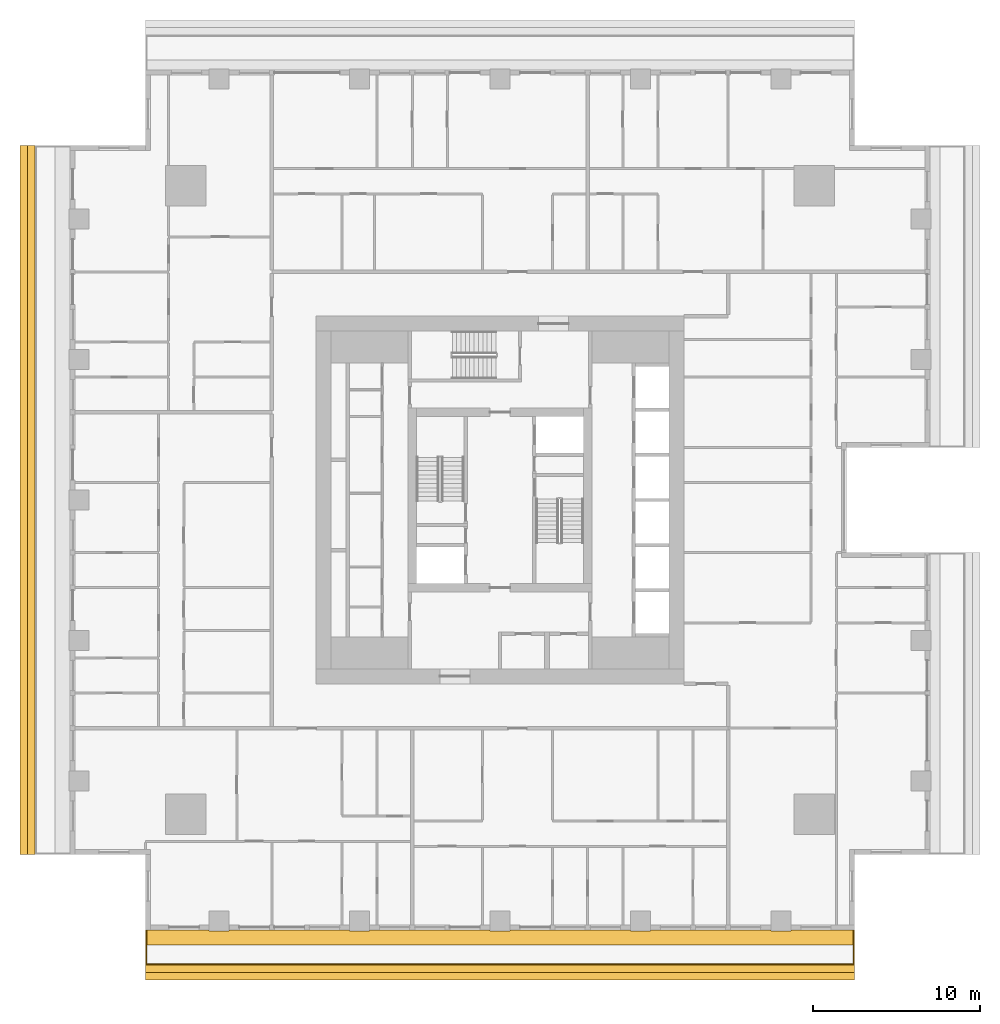
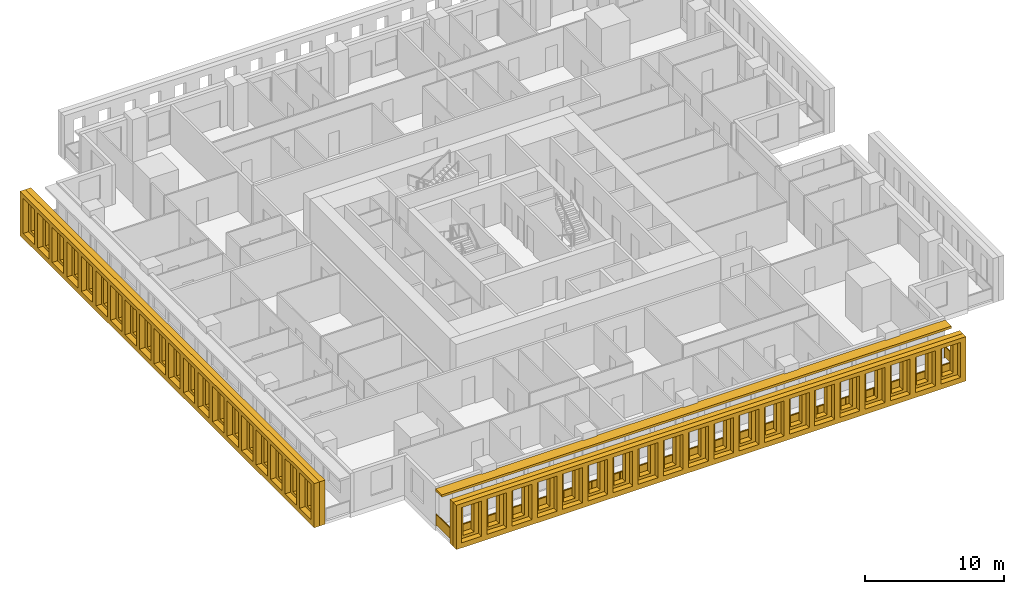
# One storey, part 11 of 16: 5 shading devices, 1 railing.
"""IFC4 building model written with IfcOpenShell, lengths in metres."""

from ifc_helpers import new_model, si_unit, direction, frame, origin, origin_2d, place, context, subcontext, project, spatial, polyline, rectangle, outline, extrude, material, layer, layer_set, type_object, element, save


model = new_model("IFC4")

# Units and contexts
model_context = context("Model", 3, precision=1e-05, world=origin(), true_north=direction((0.0, 1.0)))
body_context = subcontext(model_context, "Body", "Model", "MODEL_VIEW")
ifc_project = project(units=[si_unit("LENGTHUNIT", "METRE"), si_unit("AREAUNIT", "SQUARE_METRE"), si_unit("VOLUMEUNIT", "CUBIC_METRE"), si_unit("PLANEANGLEUNIT", "RADIAN"), si_unit("MASSUNIT", "GRAM", prefix="KILO")], contexts=[model_context])

# Site, building, storey
site_placement = place(None, origin())
site = spatial("IfcSite", under=ifc_project, at=site_placement, CompositionType="ELEMENT")
building_placement = place(site_placement, origin())
building = spatial("IfcBuilding", under=site, at=building_placement, Name="Khepri Terraces", CompositionType="ELEMENT")
storey_placement = place(building_placement, frame((0.0, 0.0, 192.300048828125)))
storey = spatial("IfcBuildingStorey", under=building, at=storey_placement, Name="L45", CompositionType="ELEMENT", Elevation=192.300048828125)

# Railing
ifc_material_1 = material(Name="Stainless steel grade 316", Category="steel")
railing_type = type_object("IfcRailingType", Name="GRD-BAL-1100", PredefinedType="GUARDRAIL", material=ifc_material_1)
railing_placement = place(storey_placement, frame((-21.169921875, -25.719970703125, 0.0)))
element("IfcRailing", 1, at=railing_placement, inside=storey, type_object=railing_type, Name="Balcony guard L45 S", PredefinedType="GUARDRAIL", context=body_context, shape_type="SweptSolid", body=[
    extrude(rectangle(XDim=0.050048828125, YDim=0.06005859375, at=origin_2d()), frame((0.0, 0.0, 1.070068359375), z_axis=(0.0, -1.0, 0.0), x_axis=(1.0, 0.0, 0.0)), (0.0, 0.0, 1.0), 2.050048828125),
    extrude(rectangle(XDim=2.0, YDim=0.011962890625, at=origin_2d()), frame((0.0, -1.02490234375, 0.10009765625), z_axis=(0.0, 0.0, 1.0), x_axis=(0.0, -1.0, 0.0)), (0.0, 0.0, 1.0), 0.93994140625),
    extrude(rectangle(XDim=0.050048828125, YDim=0.06005859375, at=origin_2d()), frame((0.0, -2.050048828125, 1.070068359375), z_axis=(1.0, 0.0, 0.0), x_axis=(0.0, 1.0, 0.0)), (0.0, 0.0, 1.0), 42.33984375),
    extrude(rectangle(XDim=2.30224609375, YDim=0.011962890625, at=origin_2d()), frame((1.176025390625, -2.050048828125, 0.10009765625), z_axis=(0.0, 0.0, 1.0), x_axis=(1.0, 0.0, 0.0)), (0.0, 0.0, 1.0), 0.93994140625),
    extrude(rectangle(XDim=2.30224609375, YDim=0.011962890625, at=origin_2d()), frame((3.5283203125, -2.050048828125, 0.10009765625), z_axis=(0.0, 0.0, 1.0), x_axis=(1.0, 0.0, 0.0)), (0.0, 0.0, 1.0), 0.93994140625),
    extrude(rectangle(XDim=2.30224609375, YDim=0.011962890625, at=origin_2d()), frame((5.880615234375, -2.050048828125, 0.10009765625), z_axis=(0.0, 0.0, 1.0), x_axis=(1.0, 0.0, 0.0)), (0.0, 0.0, 1.0), 0.93994140625),
    extrude(rectangle(XDim=2.30224609375, YDim=0.011962890625, at=origin_2d()), frame((8.232666015625, -2.050048828125, 0.10009765625), z_axis=(0.0, 0.0, 1.0), x_axis=(1.0, 0.0, 0.0)), (0.0, 0.0, 1.0), 0.93994140625),
    extrude(rectangle(XDim=2.30224609375, YDim=0.011962890625, at=origin_2d()), frame((10.5849609375, -2.050048828125, 0.10009765625), z_axis=(0.0, 0.0, 1.0), x_axis=(1.0, 0.0, 0.0)), (0.0, 0.0, 1.0), 0.93994140625),
    extrude(rectangle(XDim=2.30224609375, YDim=0.011962890625, at=origin_2d()), frame((12.937255859375, -2.050048828125, 0.10009765625), z_axis=(0.0, 0.0, 1.0), x_axis=(1.0, 0.0, 0.0)), (0.0, 0.0, 1.0), 0.93994140625),
    extrude(rectangle(XDim=2.30224609375, YDim=0.011962890625, at=origin_2d()), frame((15.289306640625, -2.050048828125, 0.10009765625), z_axis=(0.0, 0.0, 1.0), x_axis=(1.0, 0.0, 0.0)), (0.0, 0.0, 1.0), 0.93994140625),
    extrude(rectangle(XDim=2.30224609375, YDim=0.011962890625, at=origin_2d()), frame((17.6416015625, -2.050048828125, 0.10009765625), z_axis=(0.0, 0.0, 1.0), x_axis=(1.0, 0.0, 0.0)), (0.0, 0.0, 1.0), 0.93994140625),
    extrude(rectangle(XDim=2.30224609375, YDim=0.011962890625, at=origin_2d()), frame((19.993896484375, -2.050048828125, 0.10009765625), z_axis=(0.0, 0.0, 1.0), x_axis=(1.0, 0.0, 0.0)), (0.0, 0.0, 1.0), 0.93994140625),
    extrude(rectangle(XDim=2.30224609375, YDim=0.011962890625, at=origin_2d()), frame((22.345947265625, -2.050048828125, 0.10009765625), z_axis=(0.0, 0.0, 1.0), x_axis=(1.0, 0.0, 0.0)), (0.0, 0.0, 1.0), 0.93994140625),
    extrude(rectangle(XDim=2.30224609375, YDim=0.011962890625, at=origin_2d()), frame((24.6982421875, -2.050048828125, 0.10009765625), z_axis=(0.0, 0.0, 1.0), x_axis=(1.0, 0.0, 0.0)), (0.0, 0.0, 1.0), 0.93994140625),
    extrude(rectangle(XDim=2.30224609375, YDim=0.011962890625, at=origin_2d()), frame((27.050537109375, -2.050048828125, 0.10009765625), z_axis=(0.0, 0.0, 1.0), x_axis=(1.0, 0.0, 0.0)), (0.0, 0.0, 1.0), 0.93994140625),
    extrude(rectangle(XDim=2.30224609375, YDim=0.011962890625, at=origin_2d()), frame((29.402587890625, -2.050048828125, 0.10009765625), z_axis=(0.0, 0.0, 1.0), x_axis=(1.0, 0.0, 0.0)), (0.0, 0.0, 1.0), 0.93994140625),
    extrude(rectangle(XDim=2.30224609375, YDim=0.011962890625, at=origin_2d()), frame((31.7548828125, -2.050048828125, 0.10009765625), z_axis=(0.0, 0.0, 1.0), x_axis=(1.0, 0.0, 0.0)), (0.0, 0.0, 1.0), 0.93994140625),
    extrude(rectangle(XDim=2.30224609375, YDim=0.011962890625, at=origin_2d()), frame((34.107177734375, -2.050048828125, 0.10009765625), z_axis=(0.0, 0.0, 1.0), x_axis=(1.0, 0.0, 0.0)), (0.0, 0.0, 1.0), 0.93994140625),
    extrude(rectangle(XDim=2.30224609375, YDim=0.011962890625, at=origin_2d()), frame((36.459228515625, -2.050048828125, 0.10009765625), z_axis=(0.0, 0.0, 1.0), x_axis=(1.0, 0.0, 0.0)), (0.0, 0.0, 1.0), 0.93994140625),
    extrude(rectangle(XDim=2.30224609375, YDim=0.011962890625, at=origin_2d()), frame((38.8115234375, -2.050048828125, 0.10009765625), z_axis=(0.0, 0.0, 1.0), x_axis=(1.0, 0.0, 0.0)), (0.0, 0.0, 1.0), 0.93994140625),
    extrude(rectangle(XDim=2.30224609375, YDim=0.011962890625, at=origin_2d()), frame((41.163818359375, -2.050048828125, 0.10009765625), z_axis=(0.0, 0.0, 1.0), x_axis=(1.0, 0.0, 0.0)), (0.0, 0.0, 1.0), 0.93994140625),
    extrude(rectangle(XDim=0.050048828125, YDim=0.06005859375, at=origin_2d()), frame((42.33984375, -2.050048828125, 1.070068359375), z_axis=(0.0, 1.0, 0.0), x_axis=(-1.0, 0.0, 0.0)), (0.0, 0.0, 1.0), 2.050048828125),
    extrude(rectangle(XDim=2.0, YDim=0.011962890625, at=origin_2d()), frame((42.33984375, -1.02490234375, 0.10009765625), z_axis=(0.0, 0.0, 1.0), x_axis=(0.0, 1.0, 0.0)), (0.0, 0.0, 1.0), 0.93994140625),
    extrude(rectangle(XDim=0.050048828125, YDim=0.050048828125, at=origin_2d()), origin(), (0.0, 0.0, 1.0), 1.0400390625),
    extrude(rectangle(XDim=0.050048828125, YDim=0.050048828125, at=origin_2d()), frame((0.0, -2.050048828125, 0.0)), (0.0, 0.0, 1.0), 1.0400390625),
    extrude(rectangle(XDim=0.050048828125, YDim=0.050048828125, at=origin_2d()), frame((2.352294921875, -2.050048828125, 0.0)), (0.0, 0.0, 1.0), 1.0400390625),
    extrude(rectangle(XDim=0.050048828125, YDim=0.050048828125, at=origin_2d()), frame((4.704345703125, -2.050048828125, 0.0)), (0.0, 0.0, 1.0), 1.0400390625),
    extrude(rectangle(XDim=0.050048828125, YDim=0.050048828125, at=origin_2d()), frame((7.056640625, -2.050048828125, 0.0)), (0.0, 0.0, 1.0), 1.0400390625),
    extrude(rectangle(XDim=0.050048828125, YDim=0.050048828125, at=origin_2d()), frame((9.408935546875, -2.050048828125, 0.0)), (0.0, 0.0, 1.0), 1.0400390625),
    extrude(rectangle(XDim=0.050048828125, YDim=0.050048828125, at=origin_2d()), frame((11.760986328125, -2.050048828125, 0.0)), (0.0, 0.0, 1.0), 1.0400390625),
    extrude(rectangle(XDim=0.050048828125, YDim=0.050048828125, at=origin_2d()), frame((14.11328125, -2.050048828125, 0.0)), (0.0, 0.0, 1.0), 1.0400390625),
    extrude(rectangle(XDim=0.050048828125, YDim=0.050048828125, at=origin_2d()), frame((16.465576171875, -2.050048828125, 0.0)), (0.0, 0.0, 1.0), 1.0400390625),
    extrude(rectangle(XDim=0.050048828125, YDim=0.050048828125, at=origin_2d()), frame((18.817626953125, -2.050048828125, 0.0)), (0.0, 0.0, 1.0), 1.0400390625),
    extrude(rectangle(XDim=0.050048828125, YDim=0.050048828125, at=origin_2d()), frame((21.169921875, -2.050048828125, 0.0)), (0.0, 0.0, 1.0), 1.0400390625),
    extrude(rectangle(XDim=0.050048828125, YDim=0.050048828125, at=origin_2d()), frame((23.522216796875, -2.050048828125, 0.0)), (0.0, 0.0, 1.0), 1.0400390625),
    extrude(rectangle(XDim=0.050048828125, YDim=0.050048828125, at=origin_2d()), frame((25.874267578125, -2.050048828125, 0.0)), (0.0, 0.0, 1.0), 1.0400390625),
    extrude(rectangle(XDim=0.050048828125, YDim=0.050048828125, at=origin_2d()), frame((28.2265625, -2.050048828125, 0.0)), (0.0, 0.0, 1.0), 1.0400390625),
    extrude(rectangle(XDim=0.050048828125, YDim=0.050048828125, at=origin_2d()), frame((30.578857421875, -2.050048828125, 0.0)), (0.0, 0.0, 1.0), 1.0400390625),
    extrude(rectangle(XDim=0.050048828125, YDim=0.050048828125, at=origin_2d()), frame((32.930908203125, -2.050048828125, 0.0)), (0.0, 0.0, 1.0), 1.0400390625),
    extrude(rectangle(XDim=0.050048828125, YDim=0.050048828125, at=origin_2d()), frame((35.283203125, -2.050048828125, 0.0)), (0.0, 0.0, 1.0), 1.0400390625),
    extrude(rectangle(XDim=0.050048828125, YDim=0.050048828125, at=origin_2d()), frame((37.635498046875, -2.050048828125, 0.0)), (0.0, 0.0, 1.0), 1.0400390625),
    extrude(rectangle(XDim=0.050048828125, YDim=0.050048828125, at=origin_2d()), frame((39.987548828125, -2.050048828125, 0.0)), (0.0, 0.0, 1.0), 1.0400390625),
    extrude(rectangle(XDim=0.050048828125, YDim=0.050048828125, at=origin_2d()), frame((42.33984375, -2.050048828125, 0.0)), (0.0, 0.0, 1.0), 1.0400390625),
    extrude(rectangle(XDim=0.050048828125, YDim=0.050048828125, at=origin_2d()), frame((42.33984375, 0.0, 0.0)), (0.0, 0.0, 1.0), 1.0400390625),
])

# Shading devices
ifc_material_2 = material(Name="Precast concrete C50/60 warm stone", Category="masonry")
shading_device_type_1 = type_object("IfcShadingDeviceType", Name="SCR-CELL-INNER-450", PredefinedType="USERDEFINED", material=ifc_material_2)
shading_device_1_placement = place(storey_placement, frame((-21.219970703125, -27.820068359375, -0.25), z_axis=(0.0, -1.0, 0.0), x_axis=(1.0, 0.0, 0.0)))
element("IfcShadingDevice", 2, at=shading_device_1_placement, inside=storey, type_object=shading_device_type_1, Name="Cell screen L45 S in", ObjectType="SCREEN", PredefinedType="USERDEFINED", context=body_context, shape_type="SweptSolid", body=[
    extrude(outline(polyline([(0.0, 0.0), (42.43994140625, 0.0), (42.43994140625, 3.89990234375), (0.0, 3.89990234375), (0.0, 0.0)]), holes=[polyline([(0.797607421875, 0.699951171875), (1.742431640625, 0.699951171875), (1.742431640625, 3.300048828125), (0.797607421875, 3.300048828125), (0.797607421875, 0.699951171875)]), polyline([(2.8974609375, 0.699951171875), (3.842529296875, 0.699951171875), (3.842529296875, 3.300048828125), (2.8974609375, 3.300048828125), (2.8974609375, 0.699951171875)]), polyline([(4.99755859375, 0.699951171875), (5.9423828125, 0.699951171875), (5.9423828125, 3.300048828125), (4.99755859375, 3.300048828125), (4.99755859375, 0.699951171875)]), polyline([(7.097412109375, 0.699951171875), (8.04248046875, 0.699951171875), (8.04248046875, 3.300048828125), (7.097412109375, 3.300048828125), (7.097412109375, 0.699951171875)]), polyline([(9.197509765625, 0.699951171875), (10.142578125, 0.699951171875), (10.142578125, 3.300048828125), (9.197509765625, 3.300048828125), (9.197509765625, 0.699951171875)]), polyline([(11.297607421875, 0.699951171875), (12.242431640625, 0.699951171875), (12.242431640625, 3.300048828125), (11.297607421875, 3.300048828125), (11.297607421875, 0.699951171875)]), polyline([(13.3974609375, 0.699951171875), (14.342529296875, 0.699951171875), (14.342529296875, 3.300048828125), (13.3974609375, 3.300048828125), (13.3974609375, 0.699951171875)]), polyline([(15.49755859375, 0.699951171875), (16.4423828125, 0.699951171875), (16.4423828125, 3.300048828125), (15.49755859375, 3.300048828125), (15.49755859375, 0.699951171875)]), polyline([(17.597412109375, 0.699951171875), (18.54248046875, 0.699951171875), (18.54248046875, 3.300048828125), (17.597412109375, 3.300048828125), (17.597412109375, 0.699951171875)]), polyline([(19.697509765625, 0.699951171875), (20.642578125, 0.699951171875), (20.642578125, 3.300048828125), (19.697509765625, 3.300048828125), (19.697509765625, 0.699951171875)]), polyline([(21.797607421875, 0.699951171875), (22.742431640625, 0.699951171875), (22.742431640625, 3.300048828125), (21.797607421875, 3.300048828125), (21.797607421875, 0.699951171875)]), polyline([(23.8974609375, 0.699951171875), (24.842529296875, 0.699951171875), (24.842529296875, 3.300048828125), (23.8974609375, 3.300048828125), (23.8974609375, 0.699951171875)]), polyline([(25.99755859375, 0.699951171875), (26.9423828125, 0.699951171875), (26.9423828125, 3.300048828125), (25.99755859375, 3.300048828125), (25.99755859375, 0.699951171875)]), polyline([(28.097412109375, 0.699951171875), (29.04248046875, 0.699951171875), (29.04248046875, 3.300048828125), (28.097412109375, 3.300048828125), (28.097412109375, 0.699951171875)]), polyline([(30.197509765625, 0.699951171875), (31.142578125, 0.699951171875), (31.142578125, 3.300048828125), (30.197509765625, 3.300048828125), (30.197509765625, 0.699951171875)]), polyline([(32.297607421875, 0.699951171875), (33.242431640625, 0.699951171875), (33.242431640625, 3.300048828125), (32.297607421875, 3.300048828125), (32.297607421875, 0.699951171875)]), polyline([(34.3974609375, 0.699951171875), (35.342529296875, 0.699951171875), (35.342529296875, 3.300048828125), (34.3974609375, 3.300048828125), (34.3974609375, 0.699951171875)]), polyline([(36.49755859375, 0.699951171875), (37.4423828125, 0.699951171875), (37.4423828125, 3.300048828125), (36.49755859375, 3.300048828125), (36.49755859375, 0.699951171875)]), polyline([(38.597412109375, 0.699951171875), (39.54248046875, 0.699951171875), (39.54248046875, 3.300048828125), (38.597412109375, 3.300048828125), (38.597412109375, 0.699951171875)]), polyline([(40.697509765625, 0.699951171875), (41.642578125, 0.699951171875), (41.642578125, 3.300048828125), (40.697509765625, 3.300048828125), (40.697509765625, 0.699951171875)])]), origin(), (0.0, 0.0, 1.0), 0.449951171875),
])
shading_device_2_placement = place(storey_placement, frame((-27.820068359375, 21.219970703125, -0.25), z_axis=(-1.0, 0.0, 0.0), x_axis=(0.0, -1.0, 0.0)))
element("IfcShadingDevice", 3, at=shading_device_2_placement, inside=storey, type_object=shading_device_type_1, Name="Cell screen L45 W in", ObjectType="SCREEN", PredefinedType="USERDEFINED", context=body_context, shape_type="SweptSolid", body=[
    extrude(outline(polyline([(0.0, 0.0), (42.43994140625, 0.0), (42.43994140625, 3.89990234375), (0.0, 3.89990234375), (0.0, 0.0)]), holes=[polyline([(0.797607421875, 0.699951171875), (1.742431640625, 0.699951171875), (1.742431640625, 3.300048828125), (0.797607421875, 3.300048828125), (0.797607421875, 0.699951171875)]), polyline([(2.8974609375, 0.699951171875), (3.842529296875, 0.699951171875), (3.842529296875, 3.300048828125), (2.8974609375, 3.300048828125), (2.8974609375, 0.699951171875)]), polyline([(4.99755859375, 0.699951171875), (5.9423828125, 0.699951171875), (5.9423828125, 3.300048828125), (4.99755859375, 3.300048828125), (4.99755859375, 0.699951171875)]), polyline([(7.097412109375, 0.699951171875), (8.04248046875, 0.699951171875), (8.04248046875, 3.300048828125), (7.097412109375, 3.300048828125), (7.097412109375, 0.699951171875)]), polyline([(9.197509765625, 0.699951171875), (10.142578125, 0.699951171875), (10.142578125, 3.300048828125), (9.197509765625, 3.300048828125), (9.197509765625, 0.699951171875)]), polyline([(11.297607421875, 0.699951171875), (12.242431640625, 0.699951171875), (12.242431640625, 3.300048828125), (11.297607421875, 3.300048828125), (11.297607421875, 0.699951171875)]), polyline([(13.3974609375, 0.699951171875), (14.342529296875, 0.699951171875), (14.342529296875, 3.300048828125), (13.3974609375, 3.300048828125), (13.3974609375, 0.699951171875)]), polyline([(15.49755859375, 0.699951171875), (16.4423828125, 0.699951171875), (16.4423828125, 3.300048828125), (15.49755859375, 3.300048828125), (15.49755859375, 0.699951171875)]), polyline([(17.597412109375, 0.699951171875), (18.54248046875, 0.699951171875), (18.54248046875, 3.300048828125), (17.597412109375, 3.300048828125), (17.597412109375, 0.699951171875)]), polyline([(19.697509765625, 0.699951171875), (20.642578125, 0.699951171875), (20.642578125, 3.300048828125), (19.697509765625, 3.300048828125), (19.697509765625, 0.699951171875)]), polyline([(21.797607421875, 0.699951171875), (22.742431640625, 0.699951171875), (22.742431640625, 3.300048828125), (21.797607421875, 3.300048828125), (21.797607421875, 0.699951171875)]), polyline([(23.8974609375, 0.699951171875), (24.842529296875, 0.699951171875), (24.842529296875, 3.300048828125), (23.8974609375, 3.300048828125), (23.8974609375, 0.699951171875)]), polyline([(25.99755859375, 0.699951171875), (26.9423828125, 0.699951171875), (26.9423828125, 3.300048828125), (25.99755859375, 3.300048828125), (25.99755859375, 0.699951171875)]), polyline([(28.097412109375, 0.699951171875), (29.04248046875, 0.699951171875), (29.04248046875, 3.300048828125), (28.097412109375, 3.300048828125), (28.097412109375, 0.699951171875)]), polyline([(30.197509765625, 0.699951171875), (31.142578125, 0.699951171875), (31.142578125, 3.300048828125), (30.197509765625, 3.300048828125), (30.197509765625, 0.699951171875)]), polyline([(32.297607421875, 0.699951171875), (33.242431640625, 0.699951171875), (33.242431640625, 3.300048828125), (32.297607421875, 3.300048828125), (32.297607421875, 0.699951171875)]), polyline([(34.3974609375, 0.699951171875), (35.342529296875, 0.699951171875), (35.342529296875, 3.300048828125), (34.3974609375, 3.300048828125), (34.3974609375, 0.699951171875)]), polyline([(36.49755859375, 0.699951171875), (37.4423828125, 0.699951171875), (37.4423828125, 3.300048828125), (36.49755859375, 3.300048828125), (36.49755859375, 0.699951171875)]), polyline([(38.597412109375, 0.699951171875), (39.54248046875, 0.699951171875), (39.54248046875, 3.300048828125), (38.597412109375, 3.300048828125), (38.597412109375, 0.699951171875)]), polyline([(40.697509765625, 0.699951171875), (41.642578125, 0.699951171875), (41.642578125, 3.300048828125), (40.697509765625, 3.300048828125), (40.697509765625, 0.699951171875)])]), origin(), (0.0, 0.0, 1.0), 0.449951171875),
])
shading_device_type_2 = type_object("IfcShadingDeviceType", Name="SCR-CELL-OUTER-450", PredefinedType="USERDEFINED", material=ifc_material_2)
shading_device_3_placement = place(storey_placement, frame((-21.219970703125, -28.27001953125, -0.25), z_axis=(0.0, -1.0, 0.0), x_axis=(1.0, 0.0, 0.0)))
element("IfcShadingDevice", 4, at=shading_device_3_placement, inside=storey, type_object=shading_device_type_2, Name="Cell screen L45 S out", ObjectType="SCREEN", PredefinedType="USERDEFINED", context=body_context, shape_type="SweptSolid", body=[
    extrude(outline(polyline([(0.0, 0.0), (42.43994140625, 0.0), (42.43994140625, 3.89990234375), (0.0, 3.89990234375), (0.0, 0.0)]), holes=[polyline([(0.447509765625, 0.449951171875), (2.092529296875, 0.449951171875), (2.092529296875, 3.550048828125), (0.447509765625, 3.550048828125), (0.447509765625, 0.449951171875)]), polyline([(2.547607421875, 0.449951171875), (4.1923828125, 0.449951171875), (4.1923828125, 3.550048828125), (2.547607421875, 3.550048828125), (2.547607421875, 0.449951171875)]), polyline([(4.6474609375, 0.449951171875), (6.29248046875, 0.449951171875), (6.29248046875, 3.550048828125), (4.6474609375, 3.550048828125), (4.6474609375, 0.449951171875)]), polyline([(6.74755859375, 0.449951171875), (8.392578125, 0.449951171875), (8.392578125, 3.550048828125), (6.74755859375, 3.550048828125), (6.74755859375, 0.449951171875)]), polyline([(8.847412109375, 0.449951171875), (10.492431640625, 0.449951171875), (10.492431640625, 3.550048828125), (8.847412109375, 3.550048828125), (8.847412109375, 0.449951171875)]), polyline([(10.947509765625, 0.449951171875), (12.592529296875, 0.449951171875), (12.592529296875, 3.550048828125), (10.947509765625, 3.550048828125), (10.947509765625, 0.449951171875)]), polyline([(13.047607421875, 0.449951171875), (14.6923828125, 0.449951171875), (14.6923828125, 3.550048828125), (13.047607421875, 3.550048828125), (13.047607421875, 0.449951171875)]), polyline([(15.1474609375, 0.449951171875), (16.79248046875, 0.449951171875), (16.79248046875, 3.550048828125), (15.1474609375, 3.550048828125), (15.1474609375, 0.449951171875)]), polyline([(17.24755859375, 0.449951171875), (18.892578125, 0.449951171875), (18.892578125, 3.550048828125), (17.24755859375, 3.550048828125), (17.24755859375, 0.449951171875)]), polyline([(19.347412109375, 0.449951171875), (20.992431640625, 0.449951171875), (20.992431640625, 3.550048828125), (19.347412109375, 3.550048828125), (19.347412109375, 0.449951171875)]), polyline([(21.447509765625, 0.449951171875), (23.092529296875, 0.449951171875), (23.092529296875, 3.550048828125), (21.447509765625, 3.550048828125), (21.447509765625, 0.449951171875)]), polyline([(23.547607421875, 0.449951171875), (25.1923828125, 0.449951171875), (25.1923828125, 3.550048828125), (23.547607421875, 3.550048828125), (23.547607421875, 0.449951171875)]), polyline([(25.6474609375, 0.449951171875), (27.29248046875, 0.449951171875), (27.29248046875, 3.550048828125), (25.6474609375, 3.550048828125), (25.6474609375, 0.449951171875)]), polyline([(27.74755859375, 0.449951171875), (29.392578125, 0.449951171875), (29.392578125, 3.550048828125), (27.74755859375, 3.550048828125), (27.74755859375, 0.449951171875)]), polyline([(29.847412109375, 0.449951171875), (31.492431640625, 0.449951171875), (31.492431640625, 3.550048828125), (29.847412109375, 3.550048828125), (29.847412109375, 0.449951171875)]), polyline([(31.947509765625, 0.449951171875), (33.592529296875, 0.449951171875), (33.592529296875, 3.550048828125), (31.947509765625, 3.550048828125), (31.947509765625, 0.449951171875)]), polyline([(34.047607421875, 0.449951171875), (35.6923828125, 0.449951171875), (35.6923828125, 3.550048828125), (34.047607421875, 3.550048828125), (34.047607421875, 0.449951171875)]), polyline([(36.1474609375, 0.449951171875), (37.79248046875, 0.449951171875), (37.79248046875, 3.550048828125), (36.1474609375, 3.550048828125), (36.1474609375, 0.449951171875)]), polyline([(38.24755859375, 0.449951171875), (39.892578125, 0.449951171875), (39.892578125, 3.550048828125), (38.24755859375, 3.550048828125), (38.24755859375, 0.449951171875)]), polyline([(40.347412109375, 0.449951171875), (41.992431640625, 0.449951171875), (41.992431640625, 3.550048828125), (40.347412109375, 3.550048828125), (40.347412109375, 0.449951171875)])]), origin(), (0.0, 0.0, 1.0), 0.449951171875),
])
shading_device_4_placement = place(storey_placement, frame((-28.27001953125, 21.219970703125, -0.25), z_axis=(-1.0, 0.0, 0.0), x_axis=(0.0, -1.0, 0.0)))
element("IfcShadingDevice", 5, at=shading_device_4_placement, inside=storey, type_object=shading_device_type_2, Name="Cell screen L45 W out", ObjectType="SCREEN", PredefinedType="USERDEFINED", context=body_context, shape_type="SweptSolid", body=[
    extrude(outline(polyline([(0.0, 0.0), (42.43994140625, 0.0), (42.43994140625, 3.89990234375), (0.0, 3.89990234375), (0.0, 0.0)]), holes=[polyline([(0.447509765625, 0.449951171875), (2.092529296875, 0.449951171875), (2.092529296875, 3.550048828125), (0.447509765625, 3.550048828125), (0.447509765625, 0.449951171875)]), polyline([(2.547607421875, 0.449951171875), (4.1923828125, 0.449951171875), (4.1923828125, 3.550048828125), (2.547607421875, 3.550048828125), (2.547607421875, 0.449951171875)]), polyline([(4.6474609375, 0.449951171875), (6.29248046875, 0.449951171875), (6.29248046875, 3.550048828125), (4.6474609375, 3.550048828125), (4.6474609375, 0.449951171875)]), polyline([(6.74755859375, 0.449951171875), (8.392578125, 0.449951171875), (8.392578125, 3.550048828125), (6.74755859375, 3.550048828125), (6.74755859375, 0.449951171875)]), polyline([(8.847412109375, 0.449951171875), (10.492431640625, 0.449951171875), (10.492431640625, 3.550048828125), (8.847412109375, 3.550048828125), (8.847412109375, 0.449951171875)]), polyline([(10.947509765625, 0.449951171875), (12.592529296875, 0.449951171875), (12.592529296875, 3.550048828125), (10.947509765625, 3.550048828125), (10.947509765625, 0.449951171875)]), polyline([(13.047607421875, 0.449951171875), (14.6923828125, 0.449951171875), (14.6923828125, 3.550048828125), (13.047607421875, 3.550048828125), (13.047607421875, 0.449951171875)]), polyline([(15.1474609375, 0.449951171875), (16.79248046875, 0.449951171875), (16.79248046875, 3.550048828125), (15.1474609375, 3.550048828125), (15.1474609375, 0.449951171875)]), polyline([(17.24755859375, 0.449951171875), (18.892578125, 0.449951171875), (18.892578125, 3.550048828125), (17.24755859375, 3.550048828125), (17.24755859375, 0.449951171875)]), polyline([(19.347412109375, 0.449951171875), (20.992431640625, 0.449951171875), (20.992431640625, 3.550048828125), (19.347412109375, 3.550048828125), (19.347412109375, 0.449951171875)]), polyline([(21.447509765625, 0.449951171875), (23.092529296875, 0.449951171875), (23.092529296875, 3.550048828125), (21.447509765625, 3.550048828125), (21.447509765625, 0.449951171875)]), polyline([(23.547607421875, 0.449951171875), (25.1923828125, 0.449951171875), (25.1923828125, 3.550048828125), (23.547607421875, 3.550048828125), (23.547607421875, 0.449951171875)]), polyline([(25.6474609375, 0.449951171875), (27.29248046875, 0.449951171875), (27.29248046875, 3.550048828125), (25.6474609375, 3.550048828125), (25.6474609375, 0.449951171875)]), polyline([(27.74755859375, 0.449951171875), (29.392578125, 0.449951171875), (29.392578125, 3.550048828125), (27.74755859375, 3.550048828125), (27.74755859375, 0.449951171875)]), polyline([(29.847412109375, 0.449951171875), (31.492431640625, 0.449951171875), (31.492431640625, 3.550048828125), (29.847412109375, 3.550048828125), (29.847412109375, 0.449951171875)]), polyline([(31.947509765625, 0.449951171875), (33.592529296875, 0.449951171875), (33.592529296875, 3.550048828125), (31.947509765625, 3.550048828125), (31.947509765625, 0.449951171875)]), polyline([(34.047607421875, 0.449951171875), (35.6923828125, 0.449951171875), (35.6923828125, 3.550048828125), (34.047607421875, 3.550048828125), (34.047607421875, 0.449951171875)]), polyline([(36.1474609375, 0.449951171875), (37.79248046875, 0.449951171875), (37.79248046875, 3.550048828125), (36.1474609375, 3.550048828125), (36.1474609375, 0.449951171875)]), polyline([(38.24755859375, 0.449951171875), (39.892578125, 0.449951171875), (39.892578125, 3.550048828125), (38.24755859375, 3.550048828125), (38.24755859375, 0.449951171875)]), polyline([(40.347412109375, 0.449951171875), (41.992431640625, 0.449951171875), (41.992431640625, 3.550048828125), (40.347412109375, 3.550048828125), (40.347412109375, 0.449951171875)])]), origin(), (0.0, 0.0, 1.0), 0.449951171875),
])
ifc_layer = layer(ifc_material_2, 0.199951171875, Name="Precast concrete C50/60 warm stone", Category="masonry")
ifc_layer_set = layer_set([ifc_layer], Name="Precast concrete C50/60 warm stone")
shading_device_type_3 = type_object("IfcShadingDeviceType", Name="SSH-BAND-STONE-200", PredefinedType="USERDEFINED", material=ifc_layer_set)
shading_device_5_placement = place(storey_placement, frame((0.0, 0.0, 3.099853515625)))
element("IfcShadingDevice", 6, at=shading_device_5_placement, inside=storey, type_object=shading_device_type_3, Name="Sunshade band L45 S", ObjectType="SUNSHADE", PredefinedType="USERDEFINED", context=body_context, shape_type="SweptSolid", body=[
    extrude(outline(polyline([(-17.39990234375, -25.719970703125), (-21.219970703125, -25.719970703125), (-21.219970703125, -26.6201171875), (21.219970703125, -26.6201171875), (21.219970703125, -25.719970703125), (17.39990234375, -25.719970703125), (17.39990234375, -25.800048828125), (16.199951171875, -25.800048828125), (16.199951171875, -25.719970703125), (9.0, -25.719970703125), (9.0, -25.800048828125), (7.800048828125, -25.800048828125), (7.800048828125, -25.719970703125), (0.60009765625, -25.719970703125), (0.60009765625, -25.800048828125), (-0.60009765625, -25.800048828125), (-0.60009765625, -25.719970703125), (-7.800048828125, -25.719970703125), (-7.800048828125, -25.800048828125), (-9.0, -25.800048828125), (-9.0, -25.719970703125), (-16.199951171875, -25.719970703125), (-16.199951171875, -25.800048828125), (-17.39990234375, -25.800048828125), (-17.39990234375, -25.719970703125)])), origin(), (0.0, 0.0, 1.0), 0.2001953125),
])

save(model, "model.ifc")
